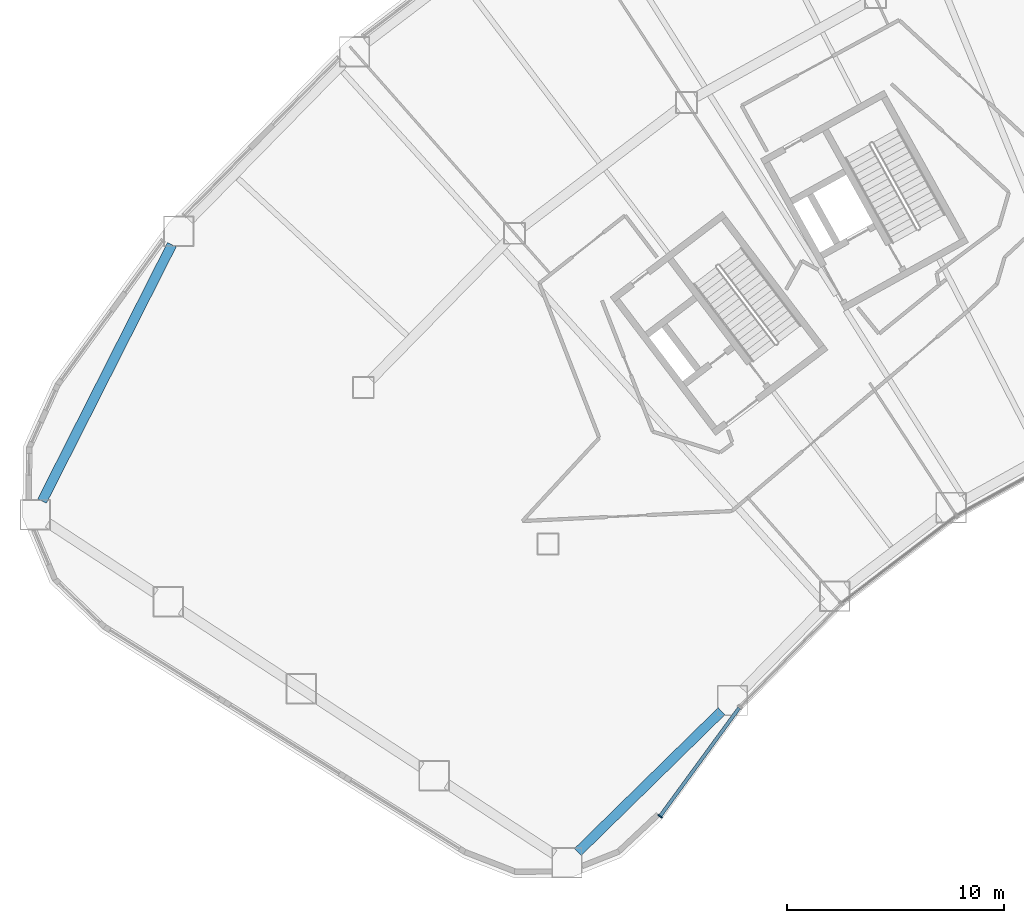
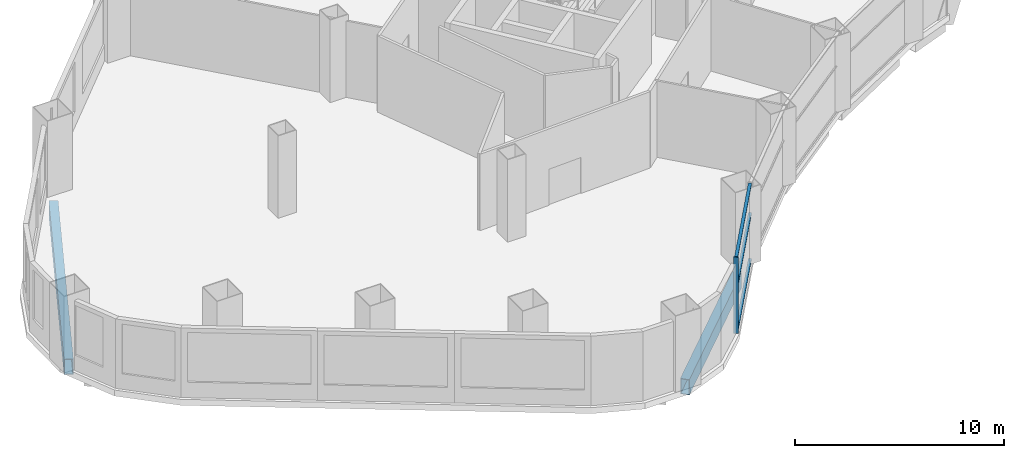
# One storey, part 3 of 20: 4 members, 2 beams, 1 element without a shape of its own.
"""IFC4 building model written with IfcOpenShell, lengths in metres."""

from ifc_helpers import new_model, si_unit, direction, frame, origin, origin_2d, place, context, subcontext, project, spatial, rectangle, hollow_rectangle, extrude, material, layer, layer_set, material_profile, profile_set, type_object, element, aggregate, save


model = new_model("IFC4")

# Units and contexts
model_context = context("Model", 3, precision=1e-05, world=origin(), true_north=direction((0.0, 1.0)))
body_context = subcontext(model_context, "Body", "Model", "MODEL_VIEW")
ifc_project = project(units=[si_unit("LENGTHUNIT", "METRE"), si_unit("AREAUNIT", "SQUARE_METRE"), si_unit("VOLUMEUNIT", "CUBIC_METRE"), si_unit("PLANEANGLEUNIT", "RADIAN"), si_unit("MASSUNIT", "GRAM", prefix="KILO")], contexts=[model_context])

# Site, building, storey
site_placement = place(None, origin())
site = spatial("IfcSite", under=ifc_project, at=site_placement, CompositionType="ELEMENT")
building_placement = place(site_placement, origin())
building = spatial("IfcBuilding", under=site, at=building_placement, Name="Tuul Gate Civic Tower", CompositionType="ELEMENT")
storey_placement = place(building_placement, frame((0.0, 0.0, 12.300048828125)))
storey = spatial("IfcBuildingStorey", under=building, at=storey_placement, Name="Level 02", CompositionType="ELEMENT", Elevation=12.300048828125)

# Curtain wall, members
ifc_material_1 = material(Name="Aluminium", Category="aluminium")
ifc_layer = layer(ifc_material_1, 0.199951171875)
ifc_layer_set = layer_set([ifc_layer], Name="Aluminium")
curtain_wall_type = type_object("IfcCurtainWallType", Name="Curtain wall CW6", PredefinedType="NOTDEFINED", material=ifc_layer_set)
curtain_wall_placement = place(storey_placement, origin())
curtain_wall = element("IfcCurtainWall", 1, at=curtain_wall_placement, inside=storey, type_object=curtain_wall_type, Name="Curtain wall CW6", PredefinedType="NOTDEFINED")
ifc_material_2 = material(Name="Aluminium", Category="aluminium")
ifc_material_profile_1 = material_profile(ifc_material_2, rectangle(XDim=0.239990234375, YDim=0.06005859375, at=origin_2d()), Name="CW6 mullion")
ifc_profile_set_1 = profile_set([ifc_material_profile_1], Name="Aluminium")
member_type_1 = type_object("IfcMemberType", Name="CW6 mullion", PredefinedType="MULLION", material=ifc_profile_set_1)
member_1_placement = place(storey_placement, frame((-38.8232421875, -35.23974609375, 0.0), z_axis=(0.0, 0.0, 1.0), x_axis=(-0.807581267597, 0.589756302404, 0.0)))
member_1 = element("IfcMember", 2, at=member_1_placement, type_object=member_type_1, Name="Mullion", PredefinedType="MULLION", context=body_context, shape_type="SweptSolid", body=[
    extrude(rectangle(XDim=0.239990234375, YDim=0.06005859375, at=origin_2d()), origin(), (0.0, 0.0, 1.0), 4.449951171875),
])
ifc_material_3 = material(Name="Aluminium", Category="aluminium")
ifc_material_profile_2 = material_profile(ifc_material_3, rectangle(XDim=0.159912109375, YDim=0.06005859375, at=origin_2d()), Name="CW6 transom")
ifc_profile_set_2 = profile_set([ifc_material_profile_2], Name="Aluminium")
member_type_2 = type_object("IfcMemberType", Name="CW6 transom", PredefinedType="USERDEFINED", material=ifc_profile_set_2)
member_2_placement = place(storey_placement, frame((-38.8056640625, -35.215576171875, 0.030029296875), z_axis=(0.589756445939, 0.807581162778, 0.0), x_axis=(-0.807581162778, 0.589756445939, 0.0)))
member_2 = element("IfcMember", 3, at=member_2_placement, type_object=member_type_2, Name="Transom", ObjectType="TRANSOM", PredefinedType="USERDEFINED", context=body_context, shape_type="SweptSolid", body=[
    extrude(rectangle(XDim=0.159912109375, YDim=0.06005859375, at=origin_2d()), origin(), (0.0, 0.0, 1.0), 6.14208984375),
])
member_3_placement = place(storey_placement, frame((-38.8056640625, -35.215576171875, 2.699951171875), z_axis=(0.589756445939, 0.807581162778, 0.0), x_axis=(-0.807581162778, 0.589756445939, 0.0)))
member_3 = element("IfcMember", 4, at=member_3_placement, type_object=member_type_2, Name="Transom", ObjectType="TRANSOM", PredefinedType="USERDEFINED", context=body_context, shape_type="SweptSolid", body=[
    extrude(rectangle(XDim=0.159912109375, YDim=0.06005859375, at=origin_2d()), origin(), (0.0, 0.0, 1.0), 6.14208984375),
])
member_4_placement = place(storey_placement, frame((-38.8056640625, -35.215576171875, 4.419921875), z_axis=(0.589756445939, 0.807581162778, 0.0), x_axis=(-0.807581162778, 0.589756445939, 0.0)))
member_4 = element("IfcMember", 5, at=member_4_placement, type_object=member_type_2, Name="Transom", ObjectType="TRANSOM", PredefinedType="USERDEFINED", context=body_context, shape_type="SweptSolid", body=[
    extrude(rectangle(XDim=0.159912109375, YDim=0.06005859375, at=origin_2d()), origin(), (0.0, 0.0, 1.0), 6.14208984375),
])
aggregate(curtain_wall, [member_1, member_2, member_3, member_4])

# Beams
ifc_material_4 = material(Name="Steel S355", Category="steel")
ifc_material_profile_3 = material_profile(ifc_material_4, hollow_rectangle(XDim=0.449951171875, YDim=0.89990234375, WallThickness=0.02490234375, at=origin_2d()), Name="BOX900x450x25")
ifc_profile_set_3 = profile_set([ifc_material_profile_3], Name="Steel S355")
beam_type = type_object("IfcBeamType", Name="STR-SPANDREL BEAM-BOX900x450x25", PredefinedType="BEAM", material=ifc_profile_set_3)
beam_1_placement = place(storey_placement, frame((-61.277099609375, -8.95263671875, -0.800048828125), z_axis=(-0.451678979782, -0.892180530623, 0.0), x_axis=(0.892180530623, -0.451678979782, 0.0)))
element("IfcBeam", 6, at=beam_1_placement, inside=storey, type_object=beam_type, Name="Spandrel beam", PredefinedType="BEAM", context=body_context, shape_type="SweptSolid", body=[
    extrude(hollow_rectangle(XDim=0.449951171875, YDim=0.89990234375, WallThickness=0.02490234375, at=origin_2d()), origin(), (0.0, 0.0, 1.0), 13.214599609375),
])
beam_2_placement = place(storey_placement, frame((-42.60302734375, -36.884033203125, -0.800048828125), z_axis=(0.714257932821, 0.699882565437, 0.0), x_axis=(-0.699882565437, 0.714257932821, 0.0)))
element("IfcBeam", 7, at=beam_2_placement, inside=storey, type_object=beam_type, Name="Spandrel beam", PredefinedType="BEAM", context=body_context, shape_type="SweptSolid", body=[
    extrude(hollow_rectangle(XDim=0.449951171875, YDim=0.89990234375, WallThickness=0.02490234375, at=origin_2d()), origin(), (0.0, 0.0, 1.0), 9.255859375),
])

save(model, "model.ifc")
